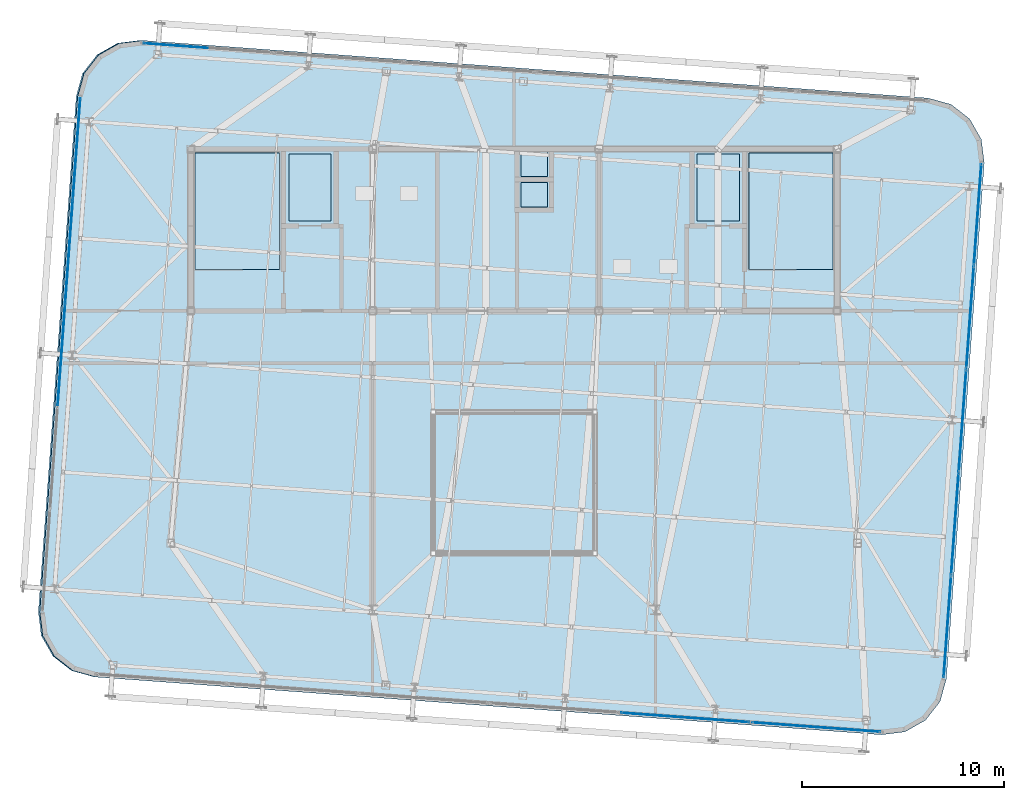
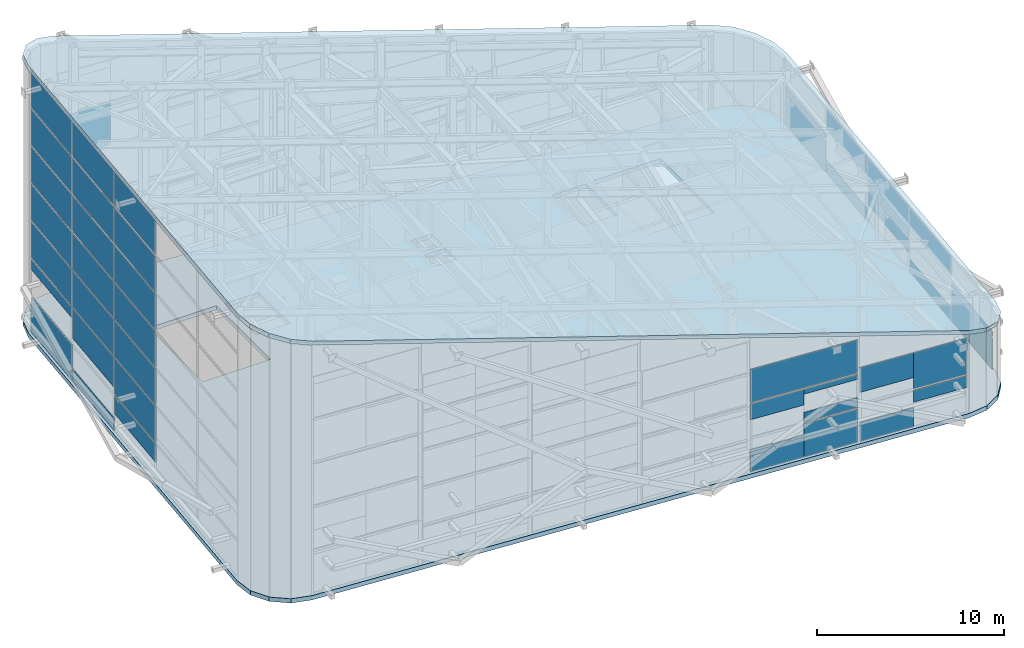
# One storey, part 32 of 56: 44 plates, 2 slabs, 17 elements without a shape of their own.
"""IFC4 building model written with IfcOpenShell, lengths in metres."""

from ifc_helpers import new_model, si_unit, direction, frame, origin, origin_2d, place, context, subcontext, project, spatial, polyline, rectangle, outline, extrude, source, transform, mapped, material, layer, layer_set, type_object, element, aggregate, save


model = new_model("IFC4")

# Units and contexts
model_context = context("Model", 3, precision=1e-05, world=origin(), true_north=direction((0.0, 1.0)))
body_context = subcontext(model_context, "Body", "Model", "MODEL_VIEW")
ifc_project = project(units=[si_unit("LENGTHUNIT", "METRE"), si_unit("AREAUNIT", "SQUARE_METRE"), si_unit("VOLUMEUNIT", "CUBIC_METRE"), si_unit("PLANEANGLEUNIT", "RADIAN"), si_unit("MASSUNIT", "GRAM", prefix="KILO")], contexts=[model_context])

# Site, building, storey
site_placement = place(None, origin())
site = spatial("IfcSite", under=ifc_project, at=site_placement, CompositionType="ELEMENT")
building_placement = place(site_placement, origin())
building = spatial("IfcBuilding", under=site, at=building_placement, Name="Taldren Reach Tower", CompositionType="ELEMENT")
storey_placement = place(building_placement, frame((0.0, 0.0, 253.050048828125)))
storey = spatial("IfcBuildingStorey", under=building, at=storey_placement, Name="L77", CompositionType="ELEMENT", Elevation=253.050048828125)

# Slabs
ifc_material_1 = material(Name="Concrete S50 (50 MPa)", Category="concrete")
ifc_layer_1 = layer(ifc_material_1, 0.280029296875)
ifc_layer_set_1 = layer_set([ifc_layer_1], Name="Concrete S50 (50 MPa)")
slab_type_1 = type_object("IfcSlabType", Name="SL-FLR-280", PredefinedType="FLOOR", material=ifc_layer_set_1)
slab_1_placement = place(storey_placement, frame((0.0, 0.0, -0.280029296875)))
element("IfcSlab", 1, at=slab_1_placement, inside=storey, type_object=slab_type_1, Name="Suspended floor slab L77", PredefinedType="FLOOR", context=body_context, shape_type="SweptSolid", body=[
    extrude(outline(polyline([(53.1904296875, 3.014404296875), (54.35205078125, 3.157958984375), (55.370361328125, 3.7353515625), (56.09033203125, 4.658203125), (56.402099609375, 5.78662109375), (58.277099609375, 31.31787109375), (58.13330078125, 32.4794921875), (57.55615234375, 33.497802734375), (56.633056640625, 34.217529296875), (55.5048828125, 34.529541015625), (16.609619140625, 37.3857421875), (15.44775390625, 37.241943359375), (14.429443359375, 36.664794921875), (13.709716796875, 35.74169921875), (13.39794921875, 34.613525390625), (11.52294921875, 9.082275390625), (11.666748046875, 7.920654296875), (12.243896484375, 6.90234375), (13.1669921875, 6.182373046875), (14.295166015625, 5.87060546875), (53.1904296875, 3.014404296875)]), holes=[polyline([(19.219970703125, 26.050048828125), (23.3798828125, 26.050048828125), (23.3798828125, 31.820068359375), (19.219970703125, 31.820068359375), (19.219970703125, 26.050048828125)]), polyline([(46.6201171875, 26.050048828125), (50.780029296875, 26.050048828125), (50.780029296875, 31.820068359375), (46.6201171875, 31.820068359375), (46.6201171875, 26.050048828125)]), polyline([(23.85009765625, 28.449951171875), (25.949951171875, 28.449951171875), (25.949951171875, 31.75), (23.85009765625, 31.75), (23.85009765625, 28.449951171875)]), polyline([(44.050048828125, 28.449951171875), (46.14990234375, 28.449951171875), (46.14990234375, 31.75), (44.050048828125, 31.75), (44.050048828125, 28.449951171875)]), polyline([(35.35009765625, 30.64990234375), (36.64990234375, 30.64990234375), (36.64990234375, 31.85009765625), (35.35009765625, 31.85009765625), (35.35009765625, 30.64990234375)]), polyline([(35.35009765625, 29.14990234375), (36.64990234375, 29.14990234375), (36.64990234375, 30.35009765625), (35.35009765625, 30.35009765625), (35.35009765625, 29.14990234375)])]), origin(), (0.0, 0.0, 1.0), 0.280029296875),
])
ifc_layer_2 = layer(ifc_material_1, 0.25)
ifc_layer_set_2 = layer_set([ifc_layer_2], Name="Concrete S50 (50 MPa)")
slab_type_2 = type_object("IfcSlabType", Name="SL-ROOF-250", PredefinedType="ROOF", material=ifc_layer_set_2)
slab_2_placement = place(storey_placement, frame((53.1904296875, 3.014404296875, 5.409912109375), z_axis=(0.274825638962, -0.020182930787, 0.961282225714), x_axis=(0.955405263043, 0.118069654836, -0.270666473646)))
element("IfcSlab", 2, at=slab_2_placement, inside=storey, type_object=slab_type_2, Name="Slanted-cut crown roof slab SR-250", PredefinedType="ROOF", context=body_context, shape_type="SweptSolid", body=[
    extrude(outline(polyline([(0.0, 0.0), (1.215845, 0.0), (2.332447, 0.448786), (3.179691, 1.277574), (3.628497, 2.360801), (8.434348, 27.505665), (8.416404, 28.677842), (7.934806, 29.76081), (7.062323, 30.589518), (5.932222, 31.038191), (-33.91732, 38.654248), (-35.133427, 38.654032), (-36.25, 38.205488), (-37.097106, 37.376444), (-37.545883, 36.293459), (-42.351734, 11.148596), (-42.33379, 9.976418), (-41.852125, 8.893438), (-40.979671, 8.064488), (-39.849542, 7.616057), (0.0, 0.0)])), origin(), (0.0, 0.0, -1.0), 0.25),
])

# Curtain wall, plates
ifc_material_2 = material(Name="Aluminium and Low-E Glass Unitised System", Category="aluminium")
ifc_layer_3 = layer(ifc_material_2, 0.159912109375)
ifc_layer_set_3 = layer_set([ifc_layer_3], Name="Aluminium and Low-E Glass Unitised System")
curtain_wall_type = type_object("IfcCurtainWallType", Name="CW-SYS-8", PredefinedType="NOTDEFINED", material=ifc_layer_set_3)
curtain_wall_1_placement = place(storey_placement, origin())
curtain_wall_1 = element("IfcCurtainWall", 3, at=curtain_wall_1_placement, inside=storey, type_object=curtain_wall_type, Name="Unitised curtain wall CW8-L77-E", PredefinedType="NOTDEFINED")
ifc_material_3 = material(Name="Acoustic Triple-Laminated IGU", Category="glass")
ifc_layer_4 = layer(ifc_material_3, 0.035888671875)
ifc_layer_set_4 = layer_set([ifc_layer_4], Name="Acoustic Triple-Laminated IGU")
plate_type = type_object("IfcPlateType", Name="CW-PNL-IGU36", PredefinedType="CURTAIN_PANEL", material=ifc_layer_set_4)
shared_shape_1 = source(origin(), body_context, "Body", "SweptSolid", [
    extrude(rectangle(XDim=5.007568359375, YDim=0.035888671875, at=origin_2d()), origin(), (0.0, 0.0, 1.0), 2.032470703125),
])
plate_1_placement = place(storey_placement, frame((56.451416015625, 8.36865234375, 0.06005859375), z_axis=(0.0, 0.0, 1.0), x_axis=(0.073238282558, 0.997314470951, 0.0)))
plate_1 = element("IfcPlate", 4, at=plate_1_placement, type_object=plate_type, Name="CW-8 panel 1.1", PredefinedType="CURTAIN_PANEL", context=body_context, shape_type="MappedRepresentation", body=[
    mapped(shared_shape_1, transform((0.0, 0.0, 0.0), scale=1.0)),
])
plate_2_placement = place(storey_placement, frame((57.948486328125, 28.756103515625, 0.06005859375), z_axis=(0.0, 0.0, 1.0), x_axis=(0.073238282558, 0.997314470951, 0.0)))
plate_2 = element("IfcPlate", 5, at=plate_2_placement, type_object=plate_type, Name="CW-8 panel 5.1", PredefinedType="CURTAIN_PANEL", context=body_context, shape_type="MappedRepresentation", body=[
    mapped(shared_shape_1, transform((0.0, 0.0, 0.0), scale=1.0)),
])

# Curtain wall, plate
curtain_wall_2_placement = place(storey_placement, origin())
curtain_wall_2 = element("IfcCurtainWall", 6, at=curtain_wall_2_placement, inside=storey, type_object=curtain_wall_type, Name="Unitised curtain wall CW8-L77-E-T2", PredefinedType="NOTDEFINED")
shared_shape_2 = source(origin(), body_context, "Body", "SweptSolid", [
    extrude(rectangle(XDim=5.044921875, YDim=0.035888671875, at=origin_2d()), origin(), (0.0, 0.0, 1.0), 2.032470703125),
])
plate_3_placement = place(storey_placement, frame((57.199951171875, 18.5625, 2.21240234375), z_axis=(0.0, 0.0, 1.0), x_axis=(0.073238282558, 0.997314470951, 0.0)))
plate_3 = element("IfcPlate", 7, at=plate_3_placement, type_object=plate_type, Name="CW-8 panel 3.1", PredefinedType="CURTAIN_PANEL", context=body_context, shape_type="MappedRepresentation", body=[
    mapped(shared_shape_2, transform((0.0, 0.0, 0.0), scale=1.0)),
])

curtain_wall_3_placement = place(storey_placement, origin())
curtain_wall_3 = element("IfcCurtainWall", 8, at=curtain_wall_3_placement, inside=storey, type_object=curtain_wall_type, Name="Unitised curtain wall CW8-L77-W", PredefinedType="NOTDEFINED")
shared_shape_3 = source(origin(), body_context, "Body", "SweptSolid", [
    extrude(rectangle(XDim=5.007568359375, YDim=0.035888671875, at=origin_2d()), origin(), (0.0, 0.0, 1.0), 2.326416015625),
])
plate_4_placement = place(storey_placement, frame((13.3486328125, 32.031494140625, 0.06005859375), z_axis=(0.0, 0.0, 1.0), x_axis=(-0.073238282558, -0.997314470951, 0.0)))
plate_4 = element("IfcPlate", 9, at=plate_4_placement, type_object=plate_type, Name="CW-8 panel 1.1", PredefinedType="CURTAIN_PANEL", context=body_context, shape_type="MappedRepresentation", body=[
    mapped(shared_shape_3, transform((0.0, 0.0, 0.0), scale=1.0)),
])

curtain_wall_4_placement = place(storey_placement, origin())
curtain_wall_4 = element("IfcCurtainWall", 10, at=curtain_wall_4_placement, inside=storey, type_object=curtain_wall_type, Name="Unitised curtain wall CW8-L77-W-T3", PredefinedType="NOTDEFINED")
plate_5_placement = place(storey_placement, frame((13.3486328125, 32.031494140625, 4.95263671875), z_axis=(0.0, 0.0, 1.0), x_axis=(-0.073238282558, -0.997314470951, 0.0)))
plate_5 = element("IfcPlate", 11, at=plate_5_placement, type_object=plate_type, Name="CW-8 panel 1.1", PredefinedType="CURTAIN_PANEL", context=body_context, shape_type="MappedRepresentation", body=[
    mapped(shared_shape_3, transform((0.0, 0.0, 0.0), scale=1.0)),
])

curtain_wall_5_placement = place(storey_placement, origin())
curtain_wall_5 = element("IfcCurtainWall", 12, at=curtain_wall_5_placement, inside=storey, type_object=curtain_wall_type, Name="Unitised curtain wall CW8-L77-W-T4", PredefinedType="NOTDEFINED")
plate_6_placement = place(storey_placement, frame((13.3486328125, 32.031494140625, 7.39892578125), z_axis=(0.0, 0.0, 1.0), x_axis=(-0.073238282558, -0.997314470951, 0.0)))
plate_6 = element("IfcPlate", 13, at=plate_6_placement, type_object=plate_type, Name="CW-8 panel 1.1", PredefinedType="CURTAIN_PANEL", context=body_context, shape_type="MappedRepresentation", body=[
    mapped(shared_shape_3, transform((0.0, 0.0, 0.0), scale=1.0)),
])

curtain_wall_6_placement = place(storey_placement, origin())
curtain_wall_6 = element("IfcCurtainWall", 14, at=curtain_wall_6_placement, inside=storey, type_object=curtain_wall_type, Name="Unitised curtain wall CW8-L77-W-T5", PredefinedType="NOTDEFINED")
plate_7_placement = place(storey_placement, frame((13.3486328125, 32.031494140625, 9.845703125), z_axis=(0.0, 0.0, 1.0), x_axis=(-0.073238282558, -0.997314470951, 0.0)))
plate_7 = element("IfcPlate", 15, at=plate_7_placement, type_object=plate_type, Name="CW-8 panel 1.1", PredefinedType="CURTAIN_PANEL", context=body_context, shape_type="MappedRepresentation", body=[
    mapped(shared_shape_3, transform((0.0, 0.0, 0.0), scale=1.0)),
])

curtain_wall_7_placement = place(storey_placement, origin())
curtain_wall_7 = element("IfcCurtainWall", 16, at=curtain_wall_7_placement, inside=storey, type_object=curtain_wall_type, Name="Unitised curtain wall CW8-L77-W-T6", PredefinedType="NOTDEFINED")
plate_8_placement = place(storey_placement, frame((13.3486328125, 32.031494140625, 12.2919921875), z_axis=(0.0, 0.0, 1.0), x_axis=(-0.073238282558, -0.997314470951, 0.0)))
plate_8 = element("IfcPlate", 17, at=plate_8_placement, type_object=plate_type, Name="CW-8 panel 1.1", PredefinedType="CURTAIN_PANEL", context=body_context, shape_type="MappedRepresentation", body=[
    mapped(shared_shape_3, transform((0.0, 0.0, 0.0), scale=1.0)),
])

curtain_wall_8_placement = place(storey_placement, origin())
curtain_wall_8 = element("IfcCurtainWall", 18, at=curtain_wall_8_placement, inside=storey, type_object=curtain_wall_type, Name="Unitised curtain wall CW8-L77-W-T7", PredefinedType="NOTDEFINED")
plate_9_placement = place(storey_placement, frame((13.3486328125, 32.031494140625, 14.73828125), z_axis=(0.0, 0.0, 1.0), x_axis=(-0.073238282558, -0.997314470951, 0.0)))
plate_9 = element("IfcPlate", 19, at=plate_9_placement, type_object=plate_type, Name="CW-8 panel 1.1", PredefinedType="CURTAIN_PANEL", context=body_context, shape_type="MappedRepresentation", body=[
    mapped(shared_shape_3, transform((0.0, 0.0, 0.0), scale=1.0)),
])

curtain_wall_9_placement = place(storey_placement, origin())
curtain_wall_9 = element("IfcCurtainWall", 20, at=curtain_wall_9_placement, inside=storey, type_object=curtain_wall_type, Name="Unitised curtain wall CW8-L77-W-T2", PredefinedType="NOTDEFINED")
shared_shape_4 = source(origin(), body_context, "Body", "SweptSolid", [
    extrude(rectangle(XDim=5.044921875, YDim=0.035888671875, at=origin_2d()), origin(), (0.0, 0.0, 1.0), 2.326416015625),
])
plate_10_placement = place(storey_placement, frame((12.60009765625, 21.837646484375, 2.50634765625), z_axis=(0.0, 0.0, 1.0), x_axis=(-0.073238282558, -0.997314470951, 0.0)))
plate_10 = element("IfcPlate", 21, at=plate_10_placement, type_object=plate_type, Name="CW-8 panel 3.1", PredefinedType="CURTAIN_PANEL", context=body_context, shape_type="MappedRepresentation", body=[
    mapped(shared_shape_4, transform((0.0, 0.0, 0.0), scale=1.0)),
])

# Plate
plate_11_placement = place(storey_placement, frame((12.97509765625, 26.94384765625, 4.95263671875), z_axis=(0.0, 0.0, 1.0), x_axis=(-0.073238282558, -0.997314470951, 0.0)))
plate_11 = element("IfcPlate", 22, at=plate_11_placement, type_object=plate_type, Name="CW-8 panel 2.1", PredefinedType="CURTAIN_PANEL", context=body_context, shape_type="MappedRepresentation", body=[
    mapped(shared_shape_4, transform((0.0, 0.0, 0.0), scale=1.0)),
])

plate_12_placement = place(storey_placement, frame((12.60009765625, 21.837646484375, 4.95263671875), z_axis=(0.0, 0.0, 1.0), x_axis=(-0.073238282558, -0.997314470951, 0.0)))
plate_12 = element("IfcPlate", 23, at=plate_12_placement, type_object=plate_type, Name="CW-8 panel 3.1", PredefinedType="CURTAIN_PANEL", context=body_context, shape_type="MappedRepresentation", body=[
    mapped(shared_shape_4, transform((0.0, 0.0, 0.0), scale=1.0)),
])

aggregate(curtain_wall_4, [plate_5, plate_11, plate_12])

plate_13_placement = place(storey_placement, frame((12.97509765625, 26.94384765625, 7.39892578125), z_axis=(0.0, 0.0, 1.0), x_axis=(-0.073238282558, -0.997314470951, 0.0)))
plate_13 = element("IfcPlate", 24, at=plate_13_placement, type_object=plate_type, Name="CW-8 panel 2.1", PredefinedType="CURTAIN_PANEL", context=body_context, shape_type="MappedRepresentation", body=[
    mapped(shared_shape_4, transform((0.0, 0.0, 0.0), scale=1.0)),
])

plate_14_placement = place(storey_placement, frame((12.60009765625, 21.837646484375, 7.39892578125), z_axis=(0.0, 0.0, 1.0), x_axis=(-0.073238282558, -0.997314470951, 0.0)))
plate_14 = element("IfcPlate", 25, at=plate_14_placement, type_object=plate_type, Name="CW-8 panel 3.1", PredefinedType="CURTAIN_PANEL", context=body_context, shape_type="MappedRepresentation", body=[
    mapped(shared_shape_4, transform((0.0, 0.0, 0.0), scale=1.0)),
])

aggregate(curtain_wall_5, [plate_6, plate_13, plate_14])

plate_15_placement = place(storey_placement, frame((12.97509765625, 26.94384765625, 9.845703125), z_axis=(0.0, 0.0, 1.0), x_axis=(-0.073238282558, -0.997314470951, 0.0)))
plate_15 = element("IfcPlate", 26, at=plate_15_placement, type_object=plate_type, Name="CW-8 panel 2.1", PredefinedType="CURTAIN_PANEL", context=body_context, shape_type="MappedRepresentation", body=[
    mapped(shared_shape_4, transform((0.0, 0.0, 0.0), scale=1.0)),
])

plate_16_placement = place(storey_placement, frame((12.60009765625, 21.837646484375, 9.845703125), z_axis=(0.0, 0.0, 1.0), x_axis=(-0.073238282558, -0.997314470951, 0.0)))
plate_16 = element("IfcPlate", 27, at=plate_16_placement, type_object=plate_type, Name="CW-8 panel 3.1", PredefinedType="CURTAIN_PANEL", context=body_context, shape_type="MappedRepresentation", body=[
    mapped(shared_shape_4, transform((0.0, 0.0, 0.0), scale=1.0)),
])

aggregate(curtain_wall_6, [plate_7, plate_15, plate_16])

plate_17_placement = place(storey_placement, frame((12.97509765625, 26.94384765625, 12.2919921875), z_axis=(0.0, 0.0, 1.0), x_axis=(-0.073238282558, -0.997314470951, 0.0)))
plate_17 = element("IfcPlate", 28, at=plate_17_placement, type_object=plate_type, Name="CW-8 panel 2.1", PredefinedType="CURTAIN_PANEL", context=body_context, shape_type="MappedRepresentation", body=[
    mapped(shared_shape_4, transform((0.0, 0.0, 0.0), scale=1.0)),
])

plate_18_placement = place(storey_placement, frame((12.60009765625, 21.837646484375, 12.2919921875), z_axis=(0.0, 0.0, 1.0), x_axis=(-0.073238282558, -0.997314470951, 0.0)))
plate_18 = element("IfcPlate", 29, at=plate_18_placement, type_object=plate_type, Name="CW-8 panel 3.1", PredefinedType="CURTAIN_PANEL", context=body_context, shape_type="MappedRepresentation", body=[
    mapped(shared_shape_4, transform((0.0, 0.0, 0.0), scale=1.0)),
])

aggregate(curtain_wall_7, [plate_8, plate_17, plate_18])

plate_19_placement = place(storey_placement, frame((12.97509765625, 26.94384765625, 14.73828125), z_axis=(0.0, 0.0, 1.0), x_axis=(-0.073238282558, -0.997314470951, 0.0)))
plate_19 = element("IfcPlate", 30, at=plate_19_placement, type_object=plate_type, Name="CW-8 panel 2.1", PredefinedType="CURTAIN_PANEL", context=body_context, shape_type="MappedRepresentation", body=[
    mapped(shared_shape_4, transform((0.0, 0.0, 0.0), scale=1.0)),
])

plate_20_placement = place(storey_placement, frame((12.60009765625, 21.837646484375, 14.73828125), z_axis=(0.0, 0.0, 1.0), x_axis=(-0.073238282558, -0.997314470951, 0.0)))
plate_20 = element("IfcPlate", 31, at=plate_20_placement, type_object=plate_type, Name="CW-8 panel 3.1", PredefinedType="CURTAIN_PANEL", context=body_context, shape_type="MappedRepresentation", body=[
    mapped(shared_shape_4, transform((0.0, 0.0, 0.0), scale=1.0)),
])

aggregate(curtain_wall_8, [plate_9, plate_19, plate_20])

# Curtain wall, plate
curtain_wall_10_placement = place(storey_placement, origin())
curtain_wall_10 = element("IfcCurtainWall", 32, at=curtain_wall_10_placement, inside=storey, type_object=curtain_wall_type, Name="Unitised curtain wall CW8-L77-S5-T3", PredefinedType="NOTDEFINED")
shared_shape_5 = source(origin(), body_context, "Body", "SweptSolid", [
    extrude(rectangle(XDim=6.35009765625, YDim=0.035888671875, at=origin_2d()), origin(), (0.0, 0.0, 1.0), 2.142822265625),
])
plate_21_placement = place(storey_placement, frame((43.476806640625, 3.867919921875, 4.58544921875), z_axis=(0.0, 0.0, 1.0), x_axis=(0.997314462779, -0.073238393838, 0.0)))
plate_21 = element("IfcPlate", 33, at=plate_21_placement, type_object=plate_type, Name="CW-8 panel 1.1", PredefinedType="CURTAIN_PANEL", context=body_context, shape_type="MappedRepresentation", body=[
    mapped(shared_shape_5, transform((0.0, 0.0, 0.0), scale=1.0)),
])
aggregate(curtain_wall_10, [plate_21])

# Plate
shared_shape_6 = source(origin(), body_context, "Body", "SweptSolid", [
    extrude(rectangle(XDim=5.044921875, YDim=0.035888671875, at=origin_2d()), origin(), (0.0, 0.0, 1.0), 0.83056640625),
])
plate_22_placement = place(storey_placement, frame((56.824951171875, 13.4560546875, 0.059814453125), z_axis=(0.0, 0.0, 1.0), x_axis=(0.073238282558, 0.997314470951, 0.0)))
plate_22 = element("IfcPlate", 34, at=plate_22_placement, type_object=plate_type, Name="CW-8 panel 2.1 part 1", PredefinedType="CURTAIN_PANEL", context=body_context, shape_type="MappedRepresentation", body=[
    mapped(shared_shape_6, transform((0.0, 0.0, 0.0), scale=1.0)),
])

plate_23_placement = place(storey_placement, frame((57.574951171875, 23.668701171875, 0.059814453125), z_axis=(0.0, 0.0, 1.0), x_axis=(0.073238282558, 0.997314470951, 0.0)))
plate_23 = element("IfcPlate", 35, at=plate_23_placement, type_object=plate_type, Name="CW-8 panel 4.1 part 1", PredefinedType="CURTAIN_PANEL", context=body_context, shape_type="MappedRepresentation", body=[
    mapped(shared_shape_6, transform((0.0, 0.0, 0.0), scale=1.0)),
])

plate_24_placement = place(storey_placement, frame((12.97509765625, 26.94384765625, 0.059814453125), z_axis=(0.0, 0.0, 1.0), x_axis=(-0.073238282558, -0.997314470951, 0.0)))
plate_24 = element("IfcPlate", 36, at=plate_24_placement, type_object=plate_type, Name="CW-8 panel 2.1 part 1", PredefinedType="CURTAIN_PANEL", context=body_context, shape_type="MappedRepresentation", body=[
    mapped(shared_shape_6, transform((0.0, 0.0, 0.0), scale=1.0)),
])

shared_shape_7 = source(origin(), body_context, "Body", "SweptSolid", [
    extrude(rectangle(XDim=5.044921875, YDim=0.035888671875, at=origin_2d()), origin(), (0.0, 0.0, 1.0), 0.874755859375),
])
plate_25_placement = place(storey_placement, frame((57.199951171875, 18.5625, 1.2177734375), z_axis=(0.0, 0.0, 1.0), x_axis=(0.073238282558, 0.997314470951, 0.0)))
plate_25 = element("IfcPlate", 37, at=plate_25_placement, type_object=plate_type, Name="CW-8 panel 3.1 part 1", PredefinedType="CURTAIN_PANEL", context=body_context, shape_type="MappedRepresentation", body=[
    mapped(shared_shape_7, transform((0.0, 0.0, 0.0), scale=1.0)),
])

aggregate(curtain_wall_1, [plate_1, plate_2, plate_22, plate_25, plate_23])

shared_shape_8 = source(origin(), body_context, "Body", "SweptSolid", [
    extrude(rectangle(XDim=5.007568359375, YDim=0.035888671875, at=origin_2d()), origin(), (0.0, 0.0, 1.0), 0.346435546875),
])
plate_26_placement = place(storey_placement, frame((56.451416015625, 8.36865234375, 2.21240234375), z_axis=(0.0, 0.0, 1.0), x_axis=(0.073238282558, 0.997314470951, 0.0)))
plate_26 = element("IfcPlate", 38, at=plate_26_placement, type_object=plate_type, Name="CW-8 panel 1.1 part 1", PredefinedType="CURTAIN_PANEL", context=body_context, shape_type="MappedRepresentation", body=[
    mapped(shared_shape_8, transform((0.0, 0.0, 0.0), scale=1.0)),
])

plate_27_placement = place(storey_placement, frame((57.948486328125, 28.756103515625, 2.21240234375), z_axis=(0.0, 0.0, 1.0), x_axis=(0.073238282558, 0.997314470951, 0.0)))
plate_27 = element("IfcPlate", 39, at=plate_27_placement, type_object=plate_type, Name="CW-8 panel 5.1 part 1", PredefinedType="CURTAIN_PANEL", context=body_context, shape_type="MappedRepresentation", body=[
    mapped(shared_shape_8, transform((0.0, 0.0, 0.0), scale=1.0)),
])

shared_shape_9 = source(origin(), body_context, "Body", "SweptSolid", [
    extrude(rectangle(XDim=5.044921875, YDim=0.035888671875, at=origin_2d()), origin(), (0.0, 0.0, 1.0), 1.35888671875),
])
plate_28_placement = place(storey_placement, frame((56.824951171875, 13.4560546875, 2.88623046875), z_axis=(0.0, 0.0, 1.0), x_axis=(0.073238282558, 0.997314470951, 0.0)))
plate_28 = element("IfcPlate", 40, at=plate_28_placement, type_object=plate_type, Name="CW-8 panel 2.1 part 1", PredefinedType="CURTAIN_PANEL", context=body_context, shape_type="MappedRepresentation", body=[
    mapped(shared_shape_9, transform((0.0, 0.0, 0.0), scale=1.0)),
])

plate_29_placement = place(storey_placement, frame((57.574951171875, 23.668701171875, 2.88623046875), z_axis=(0.0, 0.0, 1.0), x_axis=(0.073238282558, 0.997314470951, 0.0)))
plate_29 = element("IfcPlate", 41, at=plate_29_placement, type_object=plate_type, Name="CW-8 panel 4.1 part 1", PredefinedType="CURTAIN_PANEL", context=body_context, shape_type="MappedRepresentation", body=[
    mapped(shared_shape_9, transform((0.0, 0.0, 0.0), scale=1.0)),
])

aggregate(curtain_wall_2, [plate_3, plate_26, plate_28, plate_29, plate_27])

shared_shape_10 = source(origin(), body_context, "Body", "SweptSolid", [
    extrude(rectangle(XDim=5.044921875, YDim=0.035888671875, at=origin_2d()), origin(), (0.0, 0.0, 1.0), 1.16845703125),
])
plate_30_placement = place(storey_placement, frame((12.60009765625, 21.837646484375, 1.2177734375), z_axis=(0.0, 0.0, 1.0), x_axis=(-0.073238282558, -0.997314470951, 0.0)))
plate_30 = element("IfcPlate", 42, at=plate_30_placement, type_object=plate_type, Name="CW-8 panel 3.1 part 1", PredefinedType="CURTAIN_PANEL", context=body_context, shape_type="MappedRepresentation", body=[
    mapped(shared_shape_10, transform((0.0, 0.0, 0.0), scale=1.0)),
])

aggregate(curtain_wall_3, [plate_4, plate_24, plate_30])

shared_shape_11 = source(origin(), body_context, "Body", "SweptSolid", [
    extrude(rectangle(XDim=5.007568359375, YDim=0.035888671875, at=origin_2d()), origin(), (0.0, 0.0, 1.0), 0.67333984375),
])
plate_31_placement = place(storey_placement, frame((13.3486328125, 32.031494140625, 4.159423828125), z_axis=(0.0, 0.0, 1.0), x_axis=(-0.073238282558, -0.997314470951, 0.0)))
plate_31 = element("IfcPlate", 43, at=plate_31_placement, type_object=plate_type, Name="CW-8 panel 1.1 part 1", PredefinedType="CURTAIN_PANEL", context=body_context, shape_type="MappedRepresentation", body=[
    mapped(shared_shape_11, transform((0.0, 0.0, 0.0), scale=1.0)),
])

shared_shape_12 = source(origin(), body_context, "Body", "SweptSolid", [
    extrude(rectangle(XDim=5.044921875, YDim=0.035888671875, at=origin_2d()), origin(), (0.0, 0.0, 1.0), 1.946533203125),
])
plate_32_placement = place(storey_placement, frame((12.97509765625, 26.94384765625, 2.88623046875), z_axis=(0.0, 0.0, 1.0), x_axis=(-0.073238282558, -0.997314470951, 0.0)))
plate_32 = element("IfcPlate", 44, at=plate_32_placement, type_object=plate_type, Name="CW-8 panel 2.1 part 1", PredefinedType="CURTAIN_PANEL", context=body_context, shape_type="MappedRepresentation", body=[
    mapped(shared_shape_12, transform((0.0, 0.0, 0.0), scale=1.0)),
])

aggregate(curtain_wall_9, [plate_10, plate_31, plate_32])

# Curtain wall, plate
curtain_wall_11_placement = place(storey_placement, origin())
curtain_wall_11 = element("IfcCurtainWall", 45, at=curtain_wall_11_placement, inside=storey, type_object=curtain_wall_type, Name="Unitised curtain wall CW8-L77-N1", PredefinedType="NOTDEFINED")
shared_shape_13 = source(origin(), body_context, "Body", "SweptSolid", [
    extrude(rectangle(XDim=3.175048828125, YDim=0.035888671875, at=origin_2d()), origin(), (0.0, 0.0, 1.0), 2.514892578125),
])
plate_33_placement = place(storey_placement, frame((18.25732421875, 37.124267578125, 0.06005859375), z_axis=(0.0, 0.0, 1.0), x_axis=(0.997314454527, -0.073238506213, 0.0)))
plate_33 = element("IfcPlate", 46, at=plate_33_placement, type_object=plate_type, Name="CW-8 panel 1.1 part 1", PredefinedType="CURTAIN_PANEL", context=body_context, shape_type="MappedRepresentation", body=[
    mapped(shared_shape_13, transform((0.0, 0.0, 0.0), scale=1.0)),
])
aggregate(curtain_wall_11, [plate_33])

curtain_wall_12_placement = place(storey_placement, origin())
curtain_wall_12 = element("IfcCurtainWall", 47, at=curtain_wall_12_placement, inside=storey, type_object=curtain_wall_type, Name="Unitised curtain wall CW8-L77-N1-T2", PredefinedType="NOTDEFINED")
shared_shape_14 = source(origin(), body_context, "Body", "SweptSolid", [
    extrude(rectangle(XDim=3.175048828125, YDim=0.035888671875, at=origin_2d()), origin(), (0.0, 0.0, 1.0), 1.486572265625),
])
plate_34_placement = place(storey_placement, frame((18.25732421875, 37.124267578125, 4.14990234375), z_axis=(0.0, 0.0, 1.0), x_axis=(0.997314454527, -0.073238506213, 0.0)))
plate_34 = element("IfcPlate", 48, at=plate_34_placement, type_object=plate_type, Name="CW-8 panel 1.1 part 1", PredefinedType="CURTAIN_PANEL", context=body_context, shape_type="MappedRepresentation", body=[
    mapped(shared_shape_14, transform((0.0, 0.0, 0.0), scale=1.0)),
])
aggregate(curtain_wall_12, [plate_34])

curtain_wall_13_placement = place(storey_placement, origin())
curtain_wall_13 = element("IfcCurtainWall", 49, at=curtain_wall_13_placement, inside=storey, type_object=curtain_wall_type, Name="Unitised curtain wall CW8-L77-N1-T4", PredefinedType="NOTDEFINED")
shared_shape_15 = source(origin(), body_context, "Body", "SweptSolid", [
    extrude(rectangle(XDim=3.175048828125, YDim=0.035888671875, at=origin_2d()), origin(), (0.0, 0.0, 1.0), 2.728271484375),
])
plate_35_placement = place(storey_placement, frame((18.25732421875, 37.124267578125, 8.60498046875), z_axis=(0.0, 0.0, 1.0), x_axis=(0.997314454527, -0.073238506213, 0.0)))
plate_35 = element("IfcPlate", 50, at=plate_35_placement, type_object=plate_type, Name="CW-8 panel 1.1 part 1", PredefinedType="CURTAIN_PANEL", context=body_context, shape_type="MappedRepresentation", body=[
    mapped(shared_shape_15, transform((0.0, 0.0, 0.0), scale=1.0)),
])
aggregate(curtain_wall_13, [plate_35])

# Curtain wall, plates
curtain_wall_14_placement = place(storey_placement, origin())
curtain_wall_14 = element("IfcCurtainWall", 51, at=curtain_wall_14_placement, inside=storey, type_object=curtain_wall_type, Name="Unitised curtain wall CW8-L77-S5", PredefinedType="NOTDEFINED")
shared_shape_16 = source(origin(), body_context, "Body", "SweptSolid", [
    extrude(rectangle(XDim=3.175048828125, YDim=0.035888671875, at=origin_2d()), origin(), (0.0, 0.0, 1.0), 1.405517578125),
])
plate_36_placement = place(storey_placement, frame((41.8935546875, 3.984130859375, 0.06005859375), z_axis=(0.0, 0.0, 1.0), x_axis=(0.997314462779, -0.073238393838, 0.0)))
plate_36 = element("IfcPlate", 52, at=plate_36_placement, type_object=plate_type, Name="CW-8 panel 1.1 part 1", PredefinedType="CURTAIN_PANEL", context=body_context, shape_type="MappedRepresentation", body=[
    mapped(shared_shape_16, transform((0.0, 0.0, 0.0), scale=1.0)),
])
shared_shape_17 = source(origin(), body_context, "Body", "SweptSolid", [
    extrude(rectangle(XDim=3.175048828125, YDim=0.035888671875, at=origin_2d()), origin(), (0.0, 0.0, 1.0), 2.142822265625),
])
plate_37_placement = place(storey_placement, frame((45.06005859375, 3.751708984375, 0.06005859375), z_axis=(0.0, 0.0, 1.0), x_axis=(0.997314462779, -0.073238393838, 0.0)))
plate_37 = element("IfcPlate", 53, at=plate_37_placement, type_object=plate_type, Name="CW-8 panel 1.1 part 2", PredefinedType="CURTAIN_PANEL", context=body_context, shape_type="MappedRepresentation", body=[
    mapped(shared_shape_17, transform((0.0, 0.0, 0.0), scale=1.0)),
])
aggregate(curtain_wall_14, [plate_36, plate_37])

curtain_wall_15_placement = place(storey_placement, origin())
curtain_wall_15 = element("IfcCurtainWall", 54, at=curtain_wall_15_placement, inside=storey, type_object=curtain_wall_type, Name="Unitised curtain wall CW8-L77-S5-T2", PredefinedType="NOTDEFINED")
shared_shape_18 = source(origin(), body_context, "Body", "SweptSolid", [
    extrude(rectangle(XDim=3.175048828125, YDim=0.035888671875, at=origin_2d()), origin(), (0.0, 0.0, 1.0), 1.021240234375),
])
plate_38_placement = place(storey_placement, frame((41.8935546875, 3.984130859375, 3.4443359375), z_axis=(0.0, 0.0, 1.0), x_axis=(0.997314462779, -0.073238393838, 0.0)))
plate_38 = element("IfcPlate", 55, at=plate_38_placement, type_object=plate_type, Name="CW-8 panel 1.1 part 1", PredefinedType="CURTAIN_PANEL", context=body_context, shape_type="MappedRepresentation", body=[
    mapped(shared_shape_18, transform((0.0, 0.0, 0.0), scale=1.0)),
])
shared_shape_19 = source(origin(), body_context, "Body", "SweptSolid", [
    extrude(rectangle(XDim=3.175048828125, YDim=0.035888671875, at=origin_2d()), origin(), (0.0, 0.0, 1.0), 0.628662109375),
])
plate_39_placement = place(storey_placement, frame((45.06005859375, 3.751708984375, 2.32275390625), z_axis=(0.0, 0.0, 1.0), x_axis=(0.997314462779, -0.073238393838, 0.0)))
plate_39 = element("IfcPlate", 56, at=plate_39_placement, type_object=plate_type, Name="CW-8 panel 1.1 part 2", PredefinedType="CURTAIN_PANEL", context=body_context, shape_type="MappedRepresentation", body=[
    mapped(shared_shape_19, transform((0.0, 0.0, 0.0), scale=1.0)),
])
shared_shape_20 = source(origin(), body_context, "Body", "SweptSolid", [
    extrude(rectangle(XDim=3.175048828125, YDim=0.035888671875, at=origin_2d()), origin(), (0.0, 0.0, 1.0), 0.3154296875),
])
plate_40_placement = place(storey_placement, frame((45.06005859375, 3.751708984375, 4.14990234375), z_axis=(0.0, 0.0, 1.0), x_axis=(0.997314462779, -0.073238393838, 0.0)))
plate_40 = element("IfcPlate", 57, at=plate_40_placement, type_object=plate_type, Name="CW-8 panel 1.1 part 3", PredefinedType="CURTAIN_PANEL", context=body_context, shape_type="MappedRepresentation", body=[
    mapped(shared_shape_20, transform((0.0, 0.0, 0.0), scale=1.0)),
])
aggregate(curtain_wall_15, [plate_38, plate_39, plate_40])

curtain_wall_16_placement = place(storey_placement, origin())
curtain_wall_16 = element("IfcCurtainWall", 58, at=curtain_wall_16_placement, inside=storey, type_object=curtain_wall_type, Name="Unitised curtain wall CW8-L77-S6", PredefinedType="NOTDEFINED")
shared_shape_21 = source(origin(), body_context, "Body", "SweptSolid", [
    extrude(rectangle(XDim=3.175048828125, YDim=0.035888671875, at=origin_2d()), origin(), (0.0, 0.0, 1.0), 1.2109375),
])
plate_41_placement = place(storey_placement, frame((48.376220703125, 3.50830078125, 0.06005859375), z_axis=(0.0, 0.0, 1.0), x_axis=(0.997314454527, -0.073238506213, 0.0)))
plate_41 = element("IfcPlate", 59, at=plate_41_placement, type_object=plate_type, Name="CW-8 panel 1.1 part 1", PredefinedType="CURTAIN_PANEL", context=body_context, shape_type="MappedRepresentation", body=[
    mapped(shared_shape_21, transform((0.0, 0.0, 0.0), scale=1.0)),
])
shared_shape_22 = source(origin(), body_context, "Body", "SweptSolid", [
    extrude(rectangle(XDim=3.175048828125, YDim=0.035888671875, at=origin_2d()), origin(), (0.0, 0.0, 1.0), 0.75732421875),
])
plate_42_placement = place(storey_placement, frame((51.542724609375, 3.275634765625, 1.64501953125), z_axis=(0.0, 0.0, 1.0), x_axis=(0.997314454527, -0.073238506213, 0.0)))
plate_42 = element("IfcPlate", 60, at=plate_42_placement, type_object=plate_type, Name="CW-8 panel 1.1 part 2", PredefinedType="CURTAIN_PANEL", context=body_context, shape_type="MappedRepresentation", body=[
    mapped(shared_shape_22, transform((0.0, 0.0, 0.0), scale=1.0)),
])
aggregate(curtain_wall_16, [plate_41, plate_42])

curtain_wall_17_placement = place(storey_placement, origin())
curtain_wall_17 = element("IfcCurtainWall", 61, at=curtain_wall_17_placement, inside=storey, type_object=curtain_wall_type, Name="Unitised curtain wall CW8-L77-S6-T2", PredefinedType="NOTDEFINED")
shared_shape_23 = source(origin(), body_context, "Body", "SweptSolid", [
    extrude(rectangle(XDim=3.175048828125, YDim=0.035888671875, at=origin_2d()), origin(), (0.0, 0.0, 1.0), 1.615234375),
])
plate_43_placement = place(storey_placement, frame((48.376220703125, 3.50830078125, 3.24951171875), z_axis=(0.0, 0.0, 1.0), x_axis=(0.997314454527, -0.073238506213, 0.0)))
plate_43 = element("IfcPlate", 62, at=plate_43_placement, type_object=plate_type, Name="CW-8 panel 1.1 part 1", PredefinedType="CURTAIN_PANEL", context=body_context, shape_type="MappedRepresentation", body=[
    mapped(shared_shape_23, transform((0.0, 0.0, 0.0), scale=1.0)),
])
shared_shape_24 = source(origin(), body_context, "Body", "SweptSolid", [
    extrude(rectangle(XDim=3.175048828125, YDim=0.035888671875, at=origin_2d()), origin(), (0.0, 0.0, 1.0), 2.342529296875),
])
plate_44_placement = place(storey_placement, frame((51.542724609375, 3.275634765625, 2.5224609375), z_axis=(0.0, 0.0, 1.0), x_axis=(0.997314454527, -0.073238506213, 0.0)))
plate_44 = element("IfcPlate", 63, at=plate_44_placement, type_object=plate_type, Name="CW-8 panel 1.1 part 2", PredefinedType="CURTAIN_PANEL", context=body_context, shape_type="MappedRepresentation", body=[
    mapped(shared_shape_24, transform((0.0, 0.0, 0.0), scale=1.0)),
])
aggregate(curtain_wall_17, [plate_43, plate_44])

save(model, "model.ifc")
